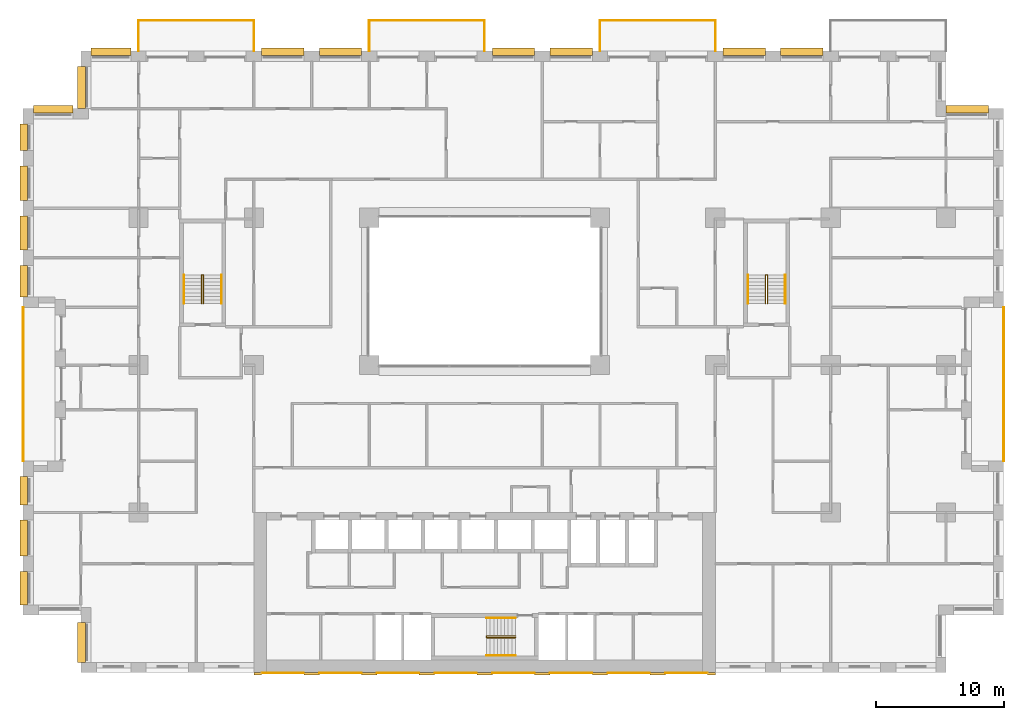
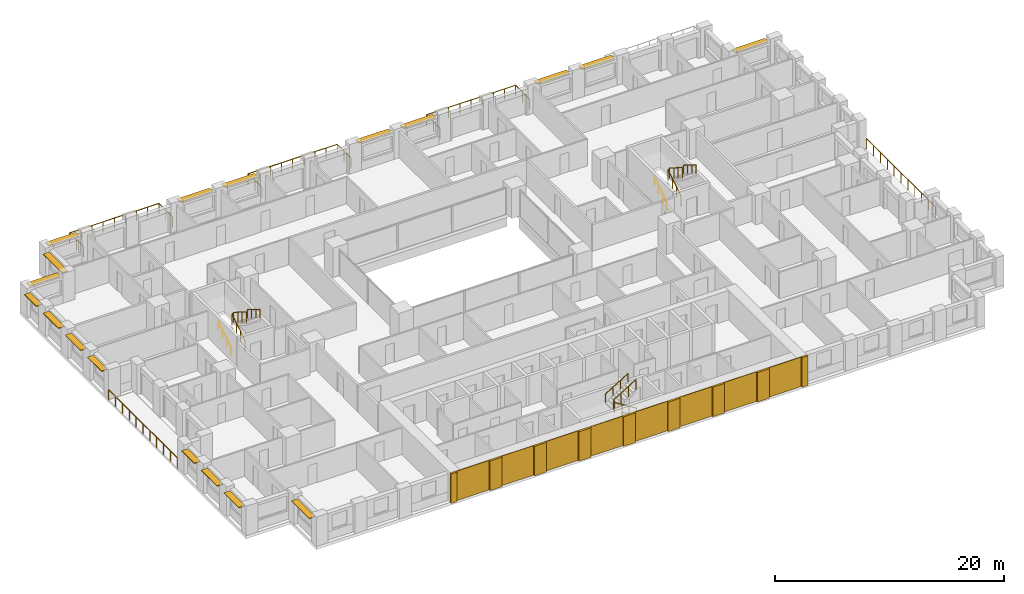
# One storey, part 19 of 20: 18 shading devices, 17 coverings, 14 railings.
"""IFC4 building model written with IfcOpenShell, lengths in metres."""

from ifc_helpers import new_model, si_unit, direction, frame, origin, origin_2d, place, context, subcontext, project, spatial, rectangle, circle, extrude, material, layer, layer_set, type_object, element, save


model = new_model("IFC4")

# Units and contexts
model_context = context("Model", 3, precision=1e-05, world=origin(), true_north=direction((0.0, 1.0)))
body_context = subcontext(model_context, "Body", "Model", "MODEL_VIEW")
ifc_project = project(units=[si_unit("LENGTHUNIT", "METRE"), si_unit("AREAUNIT", "SQUARE_METRE"), si_unit("VOLUMEUNIT", "CUBIC_METRE"), si_unit("PLANEANGLEUNIT", "RADIAN"), si_unit("MASSUNIT", "GRAM", prefix="KILO")], contexts=[model_context])

# Site, building, storey
site_placement = place(None, origin())
site = spatial("IfcSite", under=ifc_project, at=site_placement, CompositionType="ELEMENT")
building_placement = place(site_placement, origin())
building = spatial("IfcBuilding", under=site, at=building_placement, Name="Brigalow Station Residences", CompositionType="ELEMENT")
storey_placement = place(building_placement, frame((0.0, 0.0, 44.699951171875)))
storey = spatial("IfcBuildingStorey", under=building, at=storey_placement, Name="L12", CompositionType="ELEMENT", Elevation=44.699951171875)

# Railings
ifc_material_1 = material(Name="Stainless steel balustrade with laminated glass infill", Category="steel")
railing_type_1 = type_object("IfcRailingType", Name="BALCONY GUARD 1100", PredefinedType="GUARDRAIL", material=ifc_material_1)
railing_1_placement = place(storey_placement, frame((76.5, 16.5, -0.0400390625)))
element("IfcRailing", 1, at=railing_1_placement, inside=storey, type_object=railing_type_1, Name="L12/balcony-guard/1", PredefinedType="GUARDRAIL", context=body_context, shape_type="SweptSolid", body=[
    extrude(circle(Radius=0.02392578125, at=origin_2d()), frame((0.0, 0.0, 1.076171875), z_axis=(0.0, 1.0, 0.0), x_axis=(-1.0, 0.0, 0.0)), (0.0, 0.0, 1.0), 12.0),
    extrude(circle(Radius=0.02099609375, at=origin_2d()), origin(), (0.0, 0.0, 1.0), 1.052001953125),
    extrude(circle(Radius=0.02099609375, at=origin_2d()), frame((0.0, 1.199951171875, 0.0)), (0.0, 0.0, 1.0), 1.052001953125),
    extrude(circle(Radius=0.02099609375, at=origin_2d()), frame((0.0, 2.39990234375, 0.0)), (0.0, 0.0, 1.0), 1.052001953125),
    extrude(circle(Radius=0.02099609375, at=origin_2d()), frame((0.0, 3.60009765625, 0.0)), (0.0, 0.0, 1.0), 1.052001953125),
    extrude(circle(Radius=0.02099609375, at=origin_2d()), frame((0.0, 4.800048828125, 0.0)), (0.0, 0.0, 1.0), 1.052001953125),
    extrude(circle(Radius=0.02099609375, at=origin_2d()), frame((0.0, 6.0, 0.0)), (0.0, 0.0, 1.0), 1.052001953125),
    extrude(circle(Radius=0.02099609375, at=origin_2d()), frame((0.0, 7.199951171875, 0.0)), (0.0, 0.0, 1.0), 1.052001953125),
    extrude(circle(Radius=0.02099609375, at=origin_2d()), frame((0.0, 8.39990234375, 0.0)), (0.0, 0.0, 1.0), 1.052001953125),
    extrude(circle(Radius=0.02099609375, at=origin_2d()), frame((0.0, 9.60009765625, 0.0)), (0.0, 0.0, 1.0), 1.052001953125),
    extrude(circle(Radius=0.02099609375, at=origin_2d()), frame((0.0, 10.800048828125, 0.0)), (0.0, 0.0, 1.0), 1.052001953125),
    extrude(circle(Radius=0.02099609375, at=origin_2d()), frame((0.0, 12.0, 0.0)), (0.0, 0.0, 1.0), 1.052001953125),
])
railing_2_placement = place(storey_placement, frame((54.0, 48.5, -0.0400390625)))
element("IfcRailing", 2, at=railing_2_placement, inside=storey, type_object=railing_type_1, Name="L12/balcony-guard/3", PredefinedType="GUARDRAIL", context=body_context, shape_type="SweptSolid", body=[
    extrude(circle(Radius=0.02392578125, at=origin_2d()), frame((0.0, 0.0, 1.076171875), z_axis=(0.0, 1.0, 0.0), x_axis=(-1.0, 0.0, 0.0)), (0.0, 0.0, 1.0), 2.39990234375),
    extrude(circle(Radius=0.02392578125, at=origin_2d()), frame((0.0, 2.39990234375, 1.076171875), z_axis=(-1.0, 0.0, 0.0), x_axis=(0.0, -1.0, 0.0)), (0.0, 0.0, 1.0), 9.0),
    extrude(circle(Radius=0.02392578125, at=origin_2d()), frame((-9.0, 2.39990234375, 1.076171875), z_axis=(0.0, -1.0, 0.0), x_axis=(1.0, 0.0, 0.0)), (0.0, 0.0, 1.0), 2.39990234375),
    extrude(circle(Radius=0.02099609375, at=origin_2d()), origin(), (0.0, 0.0, 1.0), 1.052001953125),
    extrude(circle(Radius=0.02099609375, at=origin_2d()), frame((0.0, 1.199951171875, 0.0)), (0.0, 0.0, 1.0), 1.052001953125),
    extrude(circle(Radius=0.02099609375, at=origin_2d()), frame((0.0, 2.39990234375, 0.0)), (0.0, 0.0, 1.0), 1.052001953125),
    extrude(circle(Radius=0.02099609375, at=origin_2d()), frame((-1.125, 2.39990234375, 0.0)), (0.0, 0.0, 1.0), 1.052001953125),
    extrude(circle(Radius=0.02099609375, at=origin_2d()), frame((-2.25, 2.39990234375, 0.0)), (0.0, 0.0, 1.0), 1.052001953125),
    extrude(circle(Radius=0.02099609375, at=origin_2d()), frame((-3.375, 2.39990234375, 0.0)), (0.0, 0.0, 1.0), 1.052001953125),
    extrude(circle(Radius=0.02099609375, at=origin_2d()), frame((-4.5, 2.39990234375, 0.0)), (0.0, 0.0, 1.0), 1.052001953125),
    extrude(circle(Radius=0.02099609375, at=origin_2d()), frame((-5.625, 2.39990234375, 0.0)), (0.0, 0.0, 1.0), 1.052001953125),
    extrude(circle(Radius=0.02099609375, at=origin_2d()), frame((-6.75, 2.39990234375, 0.0)), (0.0, 0.0, 1.0), 1.052001953125),
    extrude(circle(Radius=0.02099609375, at=origin_2d()), frame((-7.875, 2.39990234375, 0.0)), (0.0, 0.0, 1.0), 1.052001953125),
    extrude(circle(Radius=0.02099609375, at=origin_2d()), frame((-9.0, 2.39990234375, 0.0)), (0.0, 0.0, 1.0), 1.052001953125),
    extrude(circle(Radius=0.02099609375, at=origin_2d()), frame((-9.0, 1.199951171875, 0.0)), (0.0, 0.0, 1.0), 1.052001953125),
    extrude(circle(Radius=0.02099609375, at=origin_2d()), frame((-9.0, 0.0, 0.0)), (0.0, 0.0, 1.0), 1.052001953125),
])
railing_3_placement = place(storey_placement, frame((36.0, 48.5, -0.0400390625)))
element("IfcRailing", 3, at=railing_3_placement, inside=storey, type_object=railing_type_1, Name="L12/balcony-guard/4", PredefinedType="GUARDRAIL", context=body_context, shape_type="SweptSolid", body=[
    extrude(circle(Radius=0.02392578125, at=origin_2d()), frame((0.0, 0.0, 1.076171875), z_axis=(0.0, 1.0, 0.0), x_axis=(-1.0, 0.0, 0.0)), (0.0, 0.0, 1.0), 2.39990234375),
    extrude(circle(Radius=0.02392578125, at=origin_2d()), frame((0.0, 2.39990234375, 1.076171875), z_axis=(-1.0, 0.0, 0.0), x_axis=(0.0, -1.0, 0.0)), (0.0, 0.0, 1.0), 9.0),
    extrude(circle(Radius=0.02392578125, at=origin_2d()), frame((-9.0, 2.39990234375, 1.076171875), z_axis=(0.0, -1.0, 0.0), x_axis=(1.0, 0.0, 0.0)), (0.0, 0.0, 1.0), 2.39990234375),
    extrude(circle(Radius=0.02099609375, at=origin_2d()), origin(), (0.0, 0.0, 1.0), 1.052001953125),
    extrude(circle(Radius=0.02099609375, at=origin_2d()), frame((0.0, 1.199951171875, 0.0)), (0.0, 0.0, 1.0), 1.052001953125),
    extrude(circle(Radius=0.02099609375, at=origin_2d()), frame((0.0, 2.39990234375, 0.0)), (0.0, 0.0, 1.0), 1.052001953125),
    extrude(circle(Radius=0.02099609375, at=origin_2d()), frame((-1.125, 2.39990234375, 0.0)), (0.0, 0.0, 1.0), 1.052001953125),
    extrude(circle(Radius=0.02099609375, at=origin_2d()), frame((-2.25, 2.39990234375, 0.0)), (0.0, 0.0, 1.0), 1.052001953125),
    extrude(circle(Radius=0.02099609375, at=origin_2d()), frame((-3.375, 2.39990234375, 0.0)), (0.0, 0.0, 1.0), 1.052001953125),
    extrude(circle(Radius=0.02099609375, at=origin_2d()), frame((-4.5, 2.39990234375, 0.0)), (0.0, 0.0, 1.0), 1.052001953125),
    extrude(circle(Radius=0.02099609375, at=origin_2d()), frame((-5.625, 2.39990234375, 0.0)), (0.0, 0.0, 1.0), 1.052001953125),
    extrude(circle(Radius=0.02099609375, at=origin_2d()), frame((-6.75, 2.39990234375, 0.0)), (0.0, 0.0, 1.0), 1.052001953125),
    extrude(circle(Radius=0.02099609375, at=origin_2d()), frame((-7.875, 2.39990234375, 0.0)), (0.0, 0.0, 1.0), 1.052001953125),
    extrude(circle(Radius=0.02099609375, at=origin_2d()), frame((-9.0, 2.39990234375, 0.0)), (0.0, 0.0, 1.0), 1.052001953125),
    extrude(circle(Radius=0.02099609375, at=origin_2d()), frame((-9.0, 1.199951171875, 0.0)), (0.0, 0.0, 1.0), 1.052001953125),
    extrude(circle(Radius=0.02099609375, at=origin_2d()), frame((-9.0, 0.0, 0.0)), (0.0, 0.0, 1.0), 1.052001953125),
])
railing_4_placement = place(storey_placement, frame((18.0, 48.5, -0.0400390625)))
element("IfcRailing", 4, at=railing_4_placement, inside=storey, type_object=railing_type_1, Name="L12/balcony-guard/5", PredefinedType="GUARDRAIL", context=body_context, shape_type="SweptSolid", body=[
    extrude(circle(Radius=0.02392578125, at=origin_2d()), frame((0.0, 0.0, 1.076171875), z_axis=(0.0, 1.0, 0.0), x_axis=(-1.0, 0.0, 0.0)), (0.0, 0.0, 1.0), 2.39990234375),
    extrude(circle(Radius=0.02392578125, at=origin_2d()), frame((0.0, 2.39990234375, 1.076171875), z_axis=(-1.0, 0.0, 0.0), x_axis=(0.0, -1.0, 0.0)), (0.0, 0.0, 1.0), 9.0),
    extrude(circle(Radius=0.02392578125, at=origin_2d()), frame((-9.0, 2.39990234375, 1.076171875), z_axis=(0.0, -1.0, 0.0), x_axis=(1.0, 0.0, 0.0)), (0.0, 0.0, 1.0), 2.39990234375),
    extrude(circle(Radius=0.02099609375, at=origin_2d()), origin(), (0.0, 0.0, 1.0), 1.052001953125),
    extrude(circle(Radius=0.02099609375, at=origin_2d()), frame((0.0, 1.199951171875, 0.0)), (0.0, 0.0, 1.0), 1.052001953125),
    extrude(circle(Radius=0.02099609375, at=origin_2d()), frame((0.0, 2.39990234375, 0.0)), (0.0, 0.0, 1.0), 1.052001953125),
    extrude(circle(Radius=0.02099609375, at=origin_2d()), frame((-1.125, 2.39990234375, 0.0)), (0.0, 0.0, 1.0), 1.052001953125),
    extrude(circle(Radius=0.02099609375, at=origin_2d()), frame((-2.25, 2.39990234375, 0.0)), (0.0, 0.0, 1.0), 1.052001953125),
    extrude(circle(Radius=0.02099609375, at=origin_2d()), frame((-3.375, 2.39990234375, 0.0)), (0.0, 0.0, 1.0), 1.052001953125),
    extrude(circle(Radius=0.02099609375, at=origin_2d()), frame((-4.5, 2.39990234375, 0.0)), (0.0, 0.0, 1.0), 1.052001953125),
    extrude(circle(Radius=0.02099609375, at=origin_2d()), frame((-5.625, 2.39990234375, 0.0)), (0.0, 0.0, 1.0), 1.052001953125),
    extrude(circle(Radius=0.02099609375, at=origin_2d()), frame((-6.75, 2.39990234375, 0.0)), (0.0, 0.0, 1.0), 1.052001953125),
    extrude(circle(Radius=0.02099609375, at=origin_2d()), frame((-7.875, 2.39990234375, 0.0)), (0.0, 0.0, 1.0), 1.052001953125),
    extrude(circle(Radius=0.02099609375, at=origin_2d()), frame((-9.0, 2.39990234375, 0.0)), (0.0, 0.0, 1.0), 1.052001953125),
    extrude(circle(Radius=0.02099609375, at=origin_2d()), frame((-9.0, 1.199951171875, 0.0)), (0.0, 0.0, 1.0), 1.052001953125),
    extrude(circle(Radius=0.02099609375, at=origin_2d()), frame((-9.0, 0.0, 0.0)), (0.0, 0.0, 1.0), 1.052001953125),
])
railing_5_placement = place(storey_placement, frame((0.0, 28.5, -0.0400390625)))
element("IfcRailing", 5, at=railing_5_placement, inside=storey, type_object=railing_type_1, Name="L12/balcony-guard/6", PredefinedType="GUARDRAIL", context=body_context, shape_type="SweptSolid", body=[
    extrude(circle(Radius=0.02392578125, at=origin_2d()), frame((0.0, 0.0, 1.076171875), z_axis=(0.0, -1.0, 0.0), x_axis=(1.0, 0.0, 0.0)), (0.0, 0.0, 1.0), 12.0),
    extrude(circle(Radius=0.02099609375, at=origin_2d()), origin(), (0.0, 0.0, 1.0), 1.052001953125),
    extrude(circle(Radius=0.02099609375, at=origin_2d()), frame((0.0, -1.199951171875, 0.0)), (0.0, 0.0, 1.0), 1.052001953125),
    extrude(circle(Radius=0.02099609375, at=origin_2d()), frame((0.0, -2.39990234375, 0.0)), (0.0, 0.0, 1.0), 1.052001953125),
    extrude(circle(Radius=0.02099609375, at=origin_2d()), frame((0.0, -3.60009765625, 0.0)), (0.0, 0.0, 1.0), 1.052001953125),
    extrude(circle(Radius=0.02099609375, at=origin_2d()), frame((0.0, -4.800048828125, 0.0)), (0.0, 0.0, 1.0), 1.052001953125),
    extrude(circle(Radius=0.02099609375, at=origin_2d()), frame((0.0, -6.0, 0.0)), (0.0, 0.0, 1.0), 1.052001953125),
    extrude(circle(Radius=0.02099609375, at=origin_2d()), frame((0.0, -7.199951171875, 0.0)), (0.0, 0.0, 1.0), 1.052001953125),
    extrude(circle(Radius=0.02099609375, at=origin_2d()), frame((0.0, -8.39990234375, 0.0)), (0.0, 0.0, 1.0), 1.052001953125),
    extrude(circle(Radius=0.02099609375, at=origin_2d()), frame((0.0, -9.60009765625, 0.0)), (0.0, 0.0, 1.0), 1.052001953125),
    extrude(circle(Radius=0.02099609375, at=origin_2d()), frame((0.0, -10.800048828125, 0.0)), (0.0, 0.0, 1.0), 1.052001953125),
    extrude(circle(Radius=0.02099609375, at=origin_2d()), frame((0.0, -12.0, 0.0)), (0.0, 0.0, 1.0), 1.052001953125),
])

# Coverings
ifc_material_2 = material(Name="Clay brick masonry", Category="masonry")
ifc_layer_1 = layer(ifc_material_2, 0.06005859375)
ifc_layer_set_1 = layer_set([ifc_layer_1], Name="BRICK PANEL FACING 60")
covering_type_1 = type_object("IfcCoveringType", Name="BRICK PANEL FACING 60", PredefinedType="CLADDING", material=ifc_layer_set_1)
for number, where, z_axis, x_axis, name in (
    (6, (20.25, -0.030029296875, 0.0), (0.0, 0.0, 1.0), (1.0, 0.0, 0.0), "L12/rear-facing/panel-1"),
    (7, (24.75, -0.030029296875, 0.0), (0.0, 0.0, 1.0), (1.0, 0.0, 0.0), "L12/rear-facing/panel-2"),
    (8, (29.25, -0.030029296875, 0.0), (0.0, 0.0, 1.0), (1.0, 0.0, 0.0), "L12/rear-facing/panel-3"),
    (9, (33.75, -0.030029296875, 0.0), (0.0, 0.0, 1.0), (1.0, 0.0, 0.0), "L12/rear-facing/panel-4"),
    (10, (38.25, -0.030029296875, 0.0), (0.0, 0.0, 1.0), (1.0, 0.0, 0.0), "L12/rear-facing/panel-5"),
    (11, (42.75, -0.030029296875, 0.0), (0.0, 0.0, 1.0), (1.0, 0.0, 0.0), "L12/rear-facing/panel-6"),
    (12, (47.25, -0.030029296875, 0.0), (0.0, 0.0, 1.0), (1.0, 0.0, 0.0), "L12/rear-facing/panel-7"),
    (13, (51.75, -0.030029296875, 0.0), (0.0, 0.0, 1.0), (1.0, 0.0, 0.0), "L12/rear-facing/panel-8"),
):
    element("IfcCovering", number, at=place(storey_placement, frame(where, z_axis=z_axis, x_axis=x_axis)), inside=storey, type_object=covering_type_1, Name=name, PredefinedType="CLADDING", context=body_context, shape_type="SweptSolid", body=[
        extrude(rectangle(XDim=3.300048828125, YDim=0.06005859375, at=origin_2d()), origin(), (0.0, 0.0, 1.0), 3.14990234375),
    ])
ifc_material_3 = material(Name="Clay brick masonry", Category="masonry")
ifc_layer_2 = layer(ifc_material_3, 0.199951171875)
ifc_layer_set_2 = layer_set([ifc_layer_2], Name="BRICK PIER FACING 200")
covering_type_2 = type_object("IfcCoveringType", Name="BRICK PIER FACING 200", PredefinedType="CLADDING", material=ifc_layer_set_2)
covering_1_placement = place(storey_placement, frame((18.300048828125, -0.10009765625, 0.0), z_axis=(0.0, 0.0, 1.0), x_axis=(1.0, 0.0, 0.0)))
element("IfcCovering", 14, at=covering_1_placement, inside=storey, type_object=covering_type_2, Name="L12/rear-facing/pier-1", PredefinedType="CLADDING", context=body_context, shape_type="SweptSolid", body=[
    extrude(rectangle(XDim=0.60009765625, YDim=0.199951171875, at=origin_2d()), origin(), (0.0, 0.0, 1.0), 3.14990234375),
])
for number, where, z_axis, x_axis, name in (
    (15, (22.5, -0.10009765625, 0.0), (0.0, 0.0, 1.0), (1.0, 0.0, 0.0), "L12/rear-facing/pier-2"),
    (16, (27.0, -0.10009765625, 0.0), (0.0, 0.0, 1.0), (1.0, 0.0, 0.0), "L12/rear-facing/pier-3"),
    (17, (31.5, -0.10009765625, 0.0), (0.0, 0.0, 1.0), (1.0, 0.0, 0.0), "L12/rear-facing/pier-4"),
    (18, (36.0, -0.10009765625, 0.0), (0.0, 0.0, 1.0), (1.0, 0.0, 0.0), "L12/rear-facing/pier-5"),
    (19, (40.5, -0.10009765625, 0.0), (0.0, 0.0, 1.0), (1.0, 0.0, 0.0), "L12/rear-facing/pier-6"),
    (20, (45.0, -0.10009765625, 0.0), (0.0, 0.0, 1.0), (1.0, 0.0, 0.0), "L12/rear-facing/pier-7"),
    (21, (49.5, -0.10009765625, 0.0), (0.0, 0.0, 1.0), (1.0, 0.0, 0.0), "L12/rear-facing/pier-8"),
):
    element("IfcCovering", number, at=place(storey_placement, frame(where, z_axis=z_axis, x_axis=x_axis)), inside=storey, type_object=covering_type_2, Name=name, PredefinedType="CLADDING", context=body_context, shape_type="SweptSolid", body=[
        extrude(rectangle(XDim=1.199951171875, YDim=0.199951171875, at=origin_2d()), origin(), (0.0, 0.0, 1.0), 3.14990234375),
    ])
covering_2_placement = place(storey_placement, frame((53.699951171875, -0.10009765625, 0.0), z_axis=(0.0, 0.0, 1.0), x_axis=(1.0, 0.0, 0.0)))
element("IfcCovering", 22, at=covering_2_placement, inside=storey, type_object=covering_type_2, Name="L12/rear-facing/pier-9", PredefinedType="CLADDING", context=body_context, shape_type="SweptSolid", body=[
    extrude(rectangle(XDim=0.60009765625, YDim=0.199951171875, at=origin_2d()), origin(), (0.0, 0.0, 1.0), 3.14990234375),
])

# Railings
ifc_material_4 = material(Name="Stainless steel balustrade", Category="steel")
railing_type_2 = type_object("IfcRailingType", Name="STAIR GUARD 1100", PredefinedType="GUARDRAIL", material=ifc_material_4)
railing_6_placement = place(storey_placement, frame((38.39990234375, 2.72998046875, 0.175048828125)))
element("IfcRailing", 23, at=railing_6_placement, inside=storey, type_object=railing_type_2, Name="GUARD GR-2", PredefinedType="GUARDRAIL", context=body_context, shape_type="SweptSolid", body=[
    extrude(circle(Radius=0.02392578125, at=origin_2d()), frame((0.0, 0.0, 1.076171875), z_axis=(-0.848013881152, 0.0, 0.529974015752), x_axis=(0.0, -1.0, 0.0)), (0.0, 0.0, 1.0), 2.641357421875),
    extrude(circle(Radius=0.02392578125, at=origin_2d()), frame((-2.239990234375, 0.0, 2.47607421875), z_axis=(0.0, 0.624960567888, 0.780656319122), x_axis=(-1.0, 0.0, 0.0)), (0.0, 0.0, 1.0), 0.22412109375),
    extrude(circle(Radius=0.02392578125, at=origin_2d()), frame((-2.239990234375, 0.14013671875, 2.65087890625), z_axis=(0.847972341737, 0.0, 0.530040477369), x_axis=(0.0, 1.0, 0.0)), (0.0, 0.0, 1.0), 2.6416015625),
    extrude(circle(Radius=0.02099609375, at=origin_2d()), origin(), (0.0, 0.0, 1.0), 1.052001953125),
    extrude(circle(Radius=0.02099609375, at=origin_2d()), frame((-0.74658203125, 0.0, 0.466552734375)), (0.0, 0.0, 1.0), 1.052001953125),
    extrude(circle(Radius=0.02099609375, at=origin_2d()), frame((-1.493408203125, 0.0, 0.933349609375)), (0.0, 0.0, 1.0), 1.052001953125),
    extrude(circle(Radius=0.02099609375, at=origin_2d()), frame((-2.239990234375, 0.0, 1.39990234375)), (0.0, 0.0, 1.0), 1.052001953125),
    extrude(circle(Radius=0.02099609375, at=origin_2d()), frame((-2.239990234375, 0.14013671875, 1.574951171875)), (0.0, 0.0, 1.0), 1.052001953125),
    extrude(circle(Radius=0.02099609375, at=origin_2d()), frame((-1.493408203125, 0.14013671875, 2.041748046875)), (0.0, 0.0, 1.0), 1.052001953125),
    extrude(circle(Radius=0.02099609375, at=origin_2d()), frame((-0.74658203125, 0.14013671875, 2.50830078125)), (0.0, 0.0, 1.0), 1.052001953125),
    extrude(circle(Radius=0.02099609375, at=origin_2d()), frame((0.0, 0.14013671875, 2.97509765625)), (0.0, 0.0, 1.0), 1.052001953125),
])
for number, where, name in (
    (24, (13.929931640625, 28.800048828125, 0.175048828125), "GUARD GR-1"),
    (25, (57.929931640625, 28.800048828125, 0.175048828125), "GUARD GR-3"),
):
    element("IfcRailing", number, at=place(storey_placement, frame(where)), inside=storey, type_object=railing_type_2, Name=name, PredefinedType="GUARDRAIL", context=body_context, shape_type="SweptSolid", body=[
        extrude(circle(Radius=0.02392578125, at=origin_2d()), frame((0.0, 0.0, 1.076171875), z_axis=(0.0, 0.848013881152, 0.529974015752), x_axis=(-1.0, 0.0, 0.0)), (0.0, 0.0, 1.0), 2.641357421875),
        extrude(circle(Radius=0.02392578125, at=origin_2d()), frame((0.0, 2.239990234375, 2.47607421875), z_axis=(0.624960567888, 0.0, 0.780656319122), x_axis=(0.0, 1.0, 0.0)), (0.0, 0.0, 1.0), 0.22412109375),
        extrude(circle(Radius=0.02392578125, at=origin_2d()), frame((0.14013671875, 2.239990234375, 2.65087890625), z_axis=(0.0, -0.847972341737, 0.530040477369), x_axis=(1.0, 0.0, 0.0)), (0.0, 0.0, 1.0), 2.6416015625),
        extrude(circle(Radius=0.02099609375, at=origin_2d()), origin(), (0.0, 0.0, 1.0), 1.052001953125),
        extrude(circle(Radius=0.02099609375, at=origin_2d()), frame((0.0, 0.74658203125, 0.466552734375)), (0.0, 0.0, 1.0), 1.052001953125),
        extrude(circle(Radius=0.02099609375, at=origin_2d()), frame((0.0, 1.493408203125, 0.933349609375)), (0.0, 0.0, 1.0), 1.052001953125),
        extrude(circle(Radius=0.02099609375, at=origin_2d()), frame((0.0, 2.239990234375, 1.39990234375)), (0.0, 0.0, 1.0), 1.052001953125),
        extrude(circle(Radius=0.02099609375, at=origin_2d()), frame((0.14013671875, 2.239990234375, 1.574951171875)), (0.0, 0.0, 1.0), 1.052001953125),
        extrude(circle(Radius=0.02099609375, at=origin_2d()), frame((0.14013671875, 1.493408203125, 2.041748046875)), (0.0, 0.0, 1.0), 1.052001953125),
        extrude(circle(Radius=0.02099609375, at=origin_2d()), frame((0.14013671875, 0.74658203125, 2.50830078125)), (0.0, 0.0, 1.0), 1.052001953125),
        extrude(circle(Radius=0.02099609375, at=origin_2d()), frame((0.14013671875, 0.0, 2.97509765625)), (0.0, 0.0, 1.0), 1.052001953125),
    ])
ifc_material_5 = material(Name="Stainless steel handrail", Category="steel")
railing_type_3 = type_object("IfcRailingType", Name="STAIR HANDRAIL 900", PredefinedType="HANDRAIL", material=ifc_material_5)
railing_7_placement = place(storey_placement, frame((38.39990234375, 1.340087890625, 0.175048828125)))
element("IfcRailing", 26, at=railing_7_placement, inside=storey, type_object=railing_type_3, Name="HANDRAIL HR-21", PredefinedType="HANDRAIL", context=body_context, shape_type="SweptSolid", body=[
    extrude(circle(Radius=0.02392578125, at=origin_2d()), frame((0.0, 0.0, 0.8759765625), z_axis=(-0.848013881152, 0.0, 0.529974015752), x_axis=(0.0, -1.0, 0.0)), (0.0, 0.0, 1.0), 2.641357421875),
    extrude(circle(Radius=0.02099609375, at=origin_2d()), origin(), (0.0, 0.0, 1.0), 0.851806640625),
    extrude(circle(Radius=0.02099609375, at=origin_2d()), frame((-0.74658203125, 0.0, 0.466552734375)), (0.0, 0.0, 1.0), 0.851806640625),
    extrude(circle(Radius=0.02099609375, at=origin_2d()), frame((-1.493408203125, 0.0, 0.933349609375)), (0.0, 0.0, 1.0), 0.851806640625),
    extrude(circle(Radius=0.02099609375, at=origin_2d()), frame((-2.239990234375, 0.0, 1.39990234375)), (0.0, 0.0, 1.0), 0.851806640625),
])
railing_8_placement = place(storey_placement, frame((36.159912109375, 4.260009765625, 1.75)))
element("IfcRailing", 27, at=railing_8_placement, inside=storey, type_object=railing_type_3, Name="HANDRAIL HR-22", PredefinedType="HANDRAIL", context=body_context, shape_type="SweptSolid", body=[
    extrude(circle(Radius=0.02392578125, at=origin_2d()), frame((0.0, 0.0, 0.8759765625), z_axis=(0.847972341737, 0.0, 0.530040477369), x_axis=(0.0, 1.0, 0.0)), (0.0, 0.0, 1.0), 2.6416015625),
    extrude(circle(Radius=0.02099609375, at=origin_2d()), origin(), (0.0, 0.0, 1.0), 0.851806640625),
    extrude(circle(Radius=0.02099609375, at=origin_2d()), frame((0.74658203125, 0.0, 0.466796875)), (0.0, 0.0, 1.0), 0.851806640625),
    extrude(circle(Radius=0.02099609375, at=origin_2d()), frame((1.493408203125, 0.0, 0.933349609375)), (0.0, 0.0, 1.0), 0.851806640625),
    extrude(circle(Radius=0.02099609375, at=origin_2d()), frame((2.239990234375, 0.0, 1.400146484375)), (0.0, 0.0, 1.0), 0.851806640625),
])
railing_9_placement = place(storey_placement, frame((12.5400390625, 28.800048828125, 0.175048828125)))
element("IfcRailing", 28, at=railing_9_placement, inside=storey, type_object=railing_type_3, Name="HANDRAIL HR-11", PredefinedType="HANDRAIL", context=body_context, shape_type="SweptSolid", body=[
    extrude(circle(Radius=0.02392578125, at=origin_2d()), frame((0.0, 0.0, 0.8759765625), z_axis=(0.0, 0.848013881152, 0.529974015752), x_axis=(-1.0, 0.0, 0.0)), (0.0, 0.0, 1.0), 2.641357421875),
    extrude(circle(Radius=0.02099609375, at=origin_2d()), origin(), (0.0, 0.0, 1.0), 0.851806640625),
    extrude(circle(Radius=0.02099609375, at=origin_2d()), frame((0.0, 0.74658203125, 0.466552734375)), (0.0, 0.0, 1.0), 0.851806640625),
    extrude(circle(Radius=0.02099609375, at=origin_2d()), frame((0.0, 1.493408203125, 0.933349609375)), (0.0, 0.0, 1.0), 0.851806640625),
    extrude(circle(Radius=0.02099609375, at=origin_2d()), frame((0.0, 2.239990234375, 1.39990234375)), (0.0, 0.0, 1.0), 0.851806640625),
])
railing_10_placement = place(storey_placement, frame((15.4599609375, 31.0400390625, 1.75)))
element("IfcRailing", 29, at=railing_10_placement, inside=storey, type_object=railing_type_3, Name="HANDRAIL HR-12", PredefinedType="HANDRAIL", context=body_context, shape_type="SweptSolid", body=[
    extrude(circle(Radius=0.02392578125, at=origin_2d()), frame((0.0, 0.0, 0.8759765625), z_axis=(0.0, -0.847972341737, 0.530040477369), x_axis=(1.0, 0.0, 0.0)), (0.0, 0.0, 1.0), 2.6416015625),
    extrude(circle(Radius=0.02099609375, at=origin_2d()), origin(), (0.0, 0.0, 1.0), 0.851806640625),
    extrude(circle(Radius=0.02099609375, at=origin_2d()), frame((0.0, -0.74658203125, 0.466796875)), (0.0, 0.0, 1.0), 0.851806640625),
    extrude(circle(Radius=0.02099609375, at=origin_2d()), frame((0.0, -1.493408203125, 0.933349609375)), (0.0, 0.0, 1.0), 0.851806640625),
    extrude(circle(Radius=0.02099609375, at=origin_2d()), frame((0.0, -2.239990234375, 1.400146484375)), (0.0, 0.0, 1.0), 0.851806640625),
])
railing_11_placement = place(storey_placement, frame((56.5400390625, 28.800048828125, 0.175048828125)))
element("IfcRailing", 30, at=railing_11_placement, inside=storey, type_object=railing_type_3, Name="HANDRAIL HR-31", PredefinedType="HANDRAIL", context=body_context, shape_type="SweptSolid", body=[
    extrude(circle(Radius=0.02392578125, at=origin_2d()), frame((0.0, 0.0, 0.8759765625), z_axis=(0.0, 0.848013881152, 0.529974015752), x_axis=(-1.0, 0.0, 0.0)), (0.0, 0.0, 1.0), 2.641357421875),
    extrude(circle(Radius=0.02099609375, at=origin_2d()), origin(), (0.0, 0.0, 1.0), 0.851806640625),
    extrude(circle(Radius=0.02099609375, at=origin_2d()), frame((0.0, 0.74658203125, 0.466552734375)), (0.0, 0.0, 1.0), 0.851806640625),
    extrude(circle(Radius=0.02099609375, at=origin_2d()), frame((0.0, 1.493408203125, 0.933349609375)), (0.0, 0.0, 1.0), 0.851806640625),
    extrude(circle(Radius=0.02099609375, at=origin_2d()), frame((0.0, 2.239990234375, 1.39990234375)), (0.0, 0.0, 1.0), 0.851806640625),
])
railing_12_placement = place(storey_placement, frame((59.4599609375, 31.0400390625, 1.75)))
element("IfcRailing", 31, at=railing_12_placement, inside=storey, type_object=railing_type_3, Name="HANDRAIL HR-32", PredefinedType="HANDRAIL", context=body_context, shape_type="SweptSolid", body=[
    extrude(circle(Radius=0.02392578125, at=origin_2d()), frame((0.0, 0.0, 0.8759765625), z_axis=(0.0, -0.847972341737, 0.530040477369), x_axis=(1.0, 0.0, 0.0)), (0.0, 0.0, 1.0), 2.6416015625),
    extrude(circle(Radius=0.02099609375, at=origin_2d()), origin(), (0.0, 0.0, 1.0), 0.851806640625),
    extrude(circle(Radius=0.02099609375, at=origin_2d()), frame((0.0, -0.74658203125, 0.466796875)), (0.0, 0.0, 1.0), 0.851806640625),
    extrude(circle(Radius=0.02099609375, at=origin_2d()), frame((0.0, -1.493408203125, 0.933349609375)), (0.0, 0.0, 1.0), 0.851806640625),
    extrude(circle(Radius=0.02099609375, at=origin_2d()), frame((0.0, -2.239990234375, 1.400146484375)), (0.0, 0.0, 1.0), 0.851806640625),
])

# Shading devices
ifc_material_6 = material(Name="Powder-coated extruded aluminium blade", Category="aluminium")
ifc_layer_3 = layer(ifc_material_6, 0.080078125)
ifc_layer_set_3 = layer_set([ifc_layer_3], Name="SUNSHADE BLADE 600x80")
shading_device_type = type_object("IfcShadingDeviceType", Name="SUNSHADE BLADE 600x80", PredefinedType="JALOUSIE", material=ifc_layer_set_3)
for number, where, z_axis, x_axis, name in (
    (32, (73.64990234375, 43.949951171875, 2.550048828125), (0.0, 0.0, 1.0), (-1.0, 0.0, 0.0), "L12/blade/W-L12-23"),
    (33, (60.75, 48.449951171875, 2.550048828125), (0.0, 0.0, 1.0), (-1.0, 0.0, 0.0), "L12/blade/W-L12-27"),
    (34, (56.25, 48.449951171875, 2.550048828125), (0.0, 0.0, 1.0), (-1.0, 0.0, 0.0), "L12/blade/W-L12-28"),
    (35, (42.75, 48.449951171875, 2.550048828125), (0.0, 0.0, 1.0), (-1.0, 0.0, 0.0), "L12/blade/W-L12-31"),
    (36, (38.25, 48.449951171875, 2.550048828125), (0.0, 0.0, 1.0), (-1.0, 0.0, 0.0), "L12/blade/W-L12-32"),
    (37, (24.75, 48.449951171875, 2.550048828125), (0.0, 0.0, 1.0), (-1.0, 0.0, 0.0), "L12/blade/W-L12-35"),
    (38, (20.25, 48.449951171875, 2.550048828125), (0.0, 0.0, 1.0), (-1.0, 0.0, 0.0), "L12/blade/W-L12-36"),
):
    element("IfcShadingDevice", number, at=place(storey_placement, frame(where, z_axis=z_axis, x_axis=x_axis)), inside=storey, type_object=shading_device_type, Name=name, PredefinedType="JALOUSIE", context=body_context, shape_type="SweptSolid", body=[
        extrude(rectangle(XDim=3.300048828125, YDim=0.60009765625, at=origin_2d()), origin(), (0.0, 0.0, 1.0), 0.080078125),
    ])
shading_device_1_placement = place(storey_placement, frame((6.85009765625, 48.449951171875, 2.550048828125), z_axis=(0.0, 0.0, 1.0), x_axis=(-1.0, 0.0, 0.0)))
element("IfcShadingDevice", 39, at=shading_device_1_placement, inside=storey, type_object=shading_device_type, Name="L12/blade/W-L12-39", PredefinedType="JALOUSIE", context=body_context, shape_type="SweptSolid", body=[
    extrude(rectangle(XDim=3.10009765625, YDim=0.60009765625, at=origin_2d()), origin(), (0.0, 0.0, 1.0), 0.080078125),
])
shading_device_2_placement = place(storey_placement, frame((4.550048828125, 45.64990234375, 2.550048828125), z_axis=(0.0, 0.0, 1.0), x_axis=(0.0, -1.0, 0.0)))
element("IfcShadingDevice", 40, at=shading_device_2_placement, inside=storey, type_object=shading_device_type, Name="L12/blade/W-L12-40", PredefinedType="JALOUSIE", context=body_context, shape_type="SweptSolid", body=[
    extrude(rectangle(XDim=3.300048828125, YDim=0.60009765625, at=origin_2d()), origin(), (0.0, 0.0, 1.0), 0.080078125),
])
shading_device_3_placement = place(storey_placement, frame((2.35009765625, 43.949951171875, 2.550048828125), z_axis=(0.0, 0.0, 1.0), x_axis=(-1.0, 0.0, 0.0)))
element("IfcShadingDevice", 41, at=shading_device_3_placement, inside=storey, type_object=shading_device_type, Name="L12/blade/W-L12-41", PredefinedType="JALOUSIE", context=body_context, shape_type="SweptSolid", body=[
    extrude(rectangle(XDim=3.10009765625, YDim=0.60009765625, at=origin_2d()), origin(), (0.0, 0.0, 1.0), 0.080078125),
])
shading_device_4_placement = place(storey_placement, frame((0.050048828125, 41.762451171875, 2.550048828125), z_axis=(0.0, 0.0, 1.0), x_axis=(0.0, -1.0, 0.0)))
element("IfcShadingDevice", 42, at=shading_device_4_placement, inside=storey, type_object=shading_device_type, Name="L12/blade/W-L12-42", PredefinedType="JALOUSIE", context=body_context, shape_type="SweptSolid", body=[
    extrude(rectangle(XDim=2.074951171875, YDim=0.60009765625, at=origin_2d()), origin(), (0.0, 0.0, 1.0), 0.080078125),
])
for number, where, z_axis, x_axis, name in (
    (43, (0.050048828125, 38.1875, 2.550048828125), (0.0, 0.0, 1.0), (0.0, -1.0, 0.0), "L12/blade/W-L12-43"),
    (44, (0.050048828125, 34.3125, 2.550048828125), (0.0, 0.0, 1.0), (0.0, -1.0, 0.0), "L12/blade/W-L12-44"),
):
    element("IfcShadingDevice", number, at=place(storey_placement, frame(where, z_axis=z_axis, x_axis=x_axis)), inside=storey, type_object=shading_device_type, Name=name, PredefinedType="JALOUSIE", context=body_context, shape_type="SweptSolid", body=[
        extrude(rectangle(XDim=2.675048828125, YDim=0.60009765625, at=origin_2d()), origin(), (0.0, 0.0, 1.0), 0.080078125),
    ])
shading_device_5_placement = place(storey_placement, frame((0.050048828125, 30.53759765625, 2.550048828125), z_axis=(0.0, 0.0, 1.0), x_axis=(0.0, -1.0, 0.0)))
element("IfcShadingDevice", 45, at=shading_device_5_placement, inside=storey, type_object=shading_device_type, Name="L12/blade/W-L12-45", PredefinedType="JALOUSIE", context=body_context, shape_type="SweptSolid", body=[
    extrude(rectangle(XDim=2.47509765625, YDim=0.60009765625, at=origin_2d()), origin(), (0.0, 0.0, 1.0), 0.080078125),
])
shading_device_6_placement = place(storey_placement, frame((0.050048828125, 14.199951171875, 2.550048828125), z_axis=(0.0, 0.0, 1.0), x_axis=(0.0, -1.0, 0.0)))
element("IfcShadingDevice", 46, at=shading_device_6_placement, inside=storey, type_object=shading_device_type, Name="L12/blade/W-L12-51", PredefinedType="JALOUSIE", context=body_context, shape_type="SweptSolid", body=[
    extrude(rectangle(XDim=2.199951171875, YDim=0.60009765625, at=origin_2d()), origin(), (0.0, 0.0, 1.0), 0.080078125),
])
shading_device_7_placement = place(storey_placement, frame((0.050048828125, 10.5, 2.550048828125), z_axis=(0.0, 0.0, 1.0), x_axis=(0.0, -1.0, 0.0)))
element("IfcShadingDevice", 47, at=shading_device_7_placement, inside=storey, type_object=shading_device_type, Name="L12/blade/W-L12-52", PredefinedType="JALOUSIE", context=body_context, shape_type="SweptSolid", body=[
    extrude(rectangle(XDim=2.800048828125, YDim=0.60009765625, at=origin_2d()), origin(), (0.0, 0.0, 1.0), 0.080078125),
])
shading_device_8_placement = place(storey_placement, frame((0.050048828125, 6.60009765625, 2.550048828125), z_axis=(0.0, 0.0, 1.0), x_axis=(0.0, -1.0, 0.0)))
element("IfcShadingDevice", 48, at=shading_device_8_placement, inside=storey, type_object=shading_device_type, Name="L12/blade/W-L12-53", PredefinedType="JALOUSIE", context=body_context, shape_type="SweptSolid", body=[
    extrude(rectangle(XDim=2.60009765625, YDim=0.60009765625, at=origin_2d()), origin(), (0.0, 0.0, 1.0), 0.080078125),
])
shading_device_9_placement = place(storey_placement, frame((4.550048828125, 2.35009765625, 2.550048828125), z_axis=(0.0, 0.0, 1.0), x_axis=(0.0, -1.0, 0.0)))
element("IfcShadingDevice", 49, at=shading_device_9_placement, inside=storey, type_object=shading_device_type, Name="L12/blade/W-L12-55", PredefinedType="JALOUSIE", context=body_context, shape_type="SweptSolid", body=[
    extrude(rectangle(XDim=3.10009765625, YDim=0.60009765625, at=origin_2d()), origin(), (0.0, 0.0, 1.0), 0.080078125),
])

save(model, "model.ifc")
